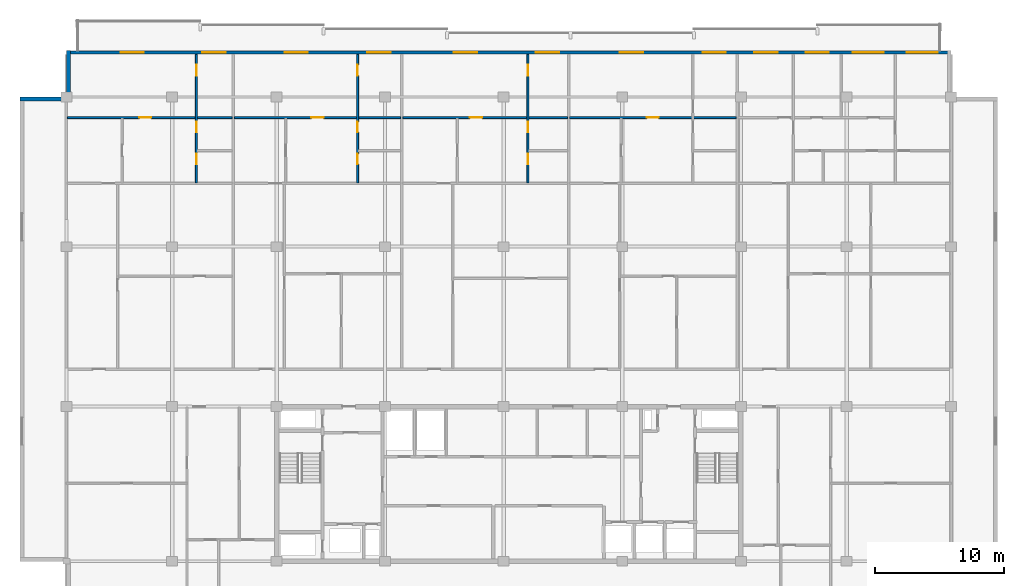
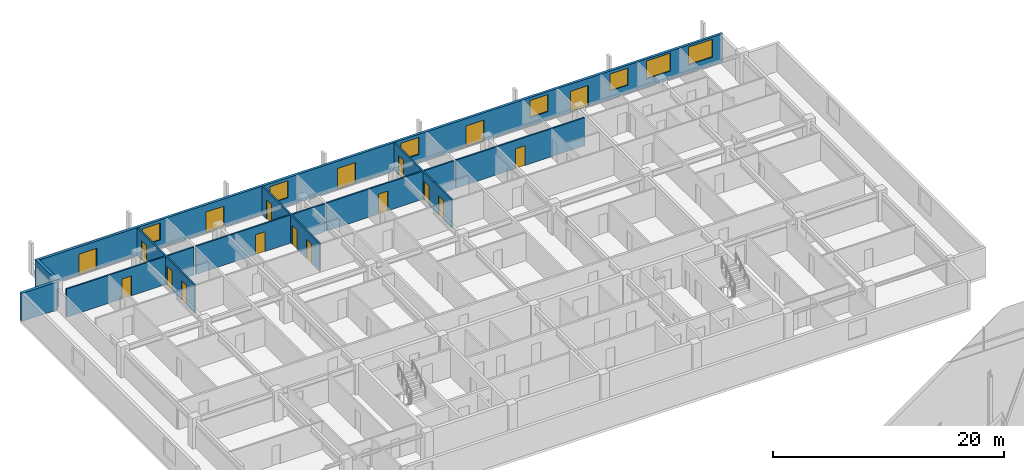
# One storey, part 38 of 42: 18 doors, 10 walls, 7 windows, 25 openings.
"""IFC4 building model written with IfcOpenShell, lengths in metres."""

from ifc_helpers import new_model, si_unit, direction, frame, frame_2d, origin, place, context, subcontext, project, spatial, rectangle, extrude, material, layer, layer_set, type_object, element, fill, save


model = new_model("IFC4")

# Units and contexts
model_context = context("Model", 3, precision=1e-05, world=origin(), true_north=direction((0.0, 1.0)))
body_context = subcontext(model_context, "Body", "Model", "MODEL_VIEW")
ifc_project = project(units=[si_unit("LENGTHUNIT", "METRE"), si_unit("AREAUNIT", "SQUARE_METRE"), si_unit("VOLUMEUNIT", "CUBIC_METRE"), si_unit("PLANEANGLEUNIT", "RADIAN"), si_unit("MASSUNIT", "GRAM", prefix="KILO")], contexts=[model_context])

# Site, building, storey
site_placement = place(None, origin())
site = spatial("IfcSite", under=ifc_project, at=site_placement, CompositionType="ELEMENT")
building_placement = place(site_placement, origin())
building = spatial("IfcBuilding", under=site, at=building_placement, Name="Korimba Cascade Residences", CompositionType="ELEMENT")
storey_placement = place(building_placement, frame((0.0, 0.0, 207.60009765625)))
storey = spatial("IfcBuildingStorey", under=building, at=storey_placement, Name="L60", CompositionType="ELEMENT", Elevation=207.60009765625)

# Wall, openings, doors, windows
ifc_material_1 = material(Name="Precast concrete C40/50", Category="concrete")
ifc_layer_1 = layer(ifc_material_1, 0.25)
ifc_layer_set_1 = layer_set([ifc_layer_1], Name="Precast concrete C40/50")
wall_type_1 = type_object("IfcWallType", Name="EW-LOG-250", PredefinedType="STANDARD", material=ifc_layer_set_1)
wall_1_placement = place(storey_placement, frame((128.39990234375, 94.64990234375, 0.0), z_axis=(0.0, 0.0, 1.0), x_axis=(-1.0, 0.0, 0.0)))
wall_1 = element("IfcWall", 1, at=wall_1_placement, inside=storey, type_object=wall_type_1, Name="L60 T1 Perimeter Stone Wall E06", PredefinedType="STANDARD", context=body_context, shape_type="SweptSolid", body=[
    extrude(rectangle(XDim=68.599853515625, YDim=0.25, at=frame_2d((34.2998046875, 0.0))), origin(), (0.0, 0.0, 1.0), 2.969970703125),
])
opening_1_placement = place(wall_1_placement, frame((62.60009765625, 0.0, 0.0)))
opening_1 = element("IfcOpeningElement", 2, at=opening_1_placement, cuts=wall_1, Name="Opening D-LG1", PredefinedType="OPENING", context=body_context, shape_type="SweptSolid", body=[
    extrude(rectangle(XDim=1.800048828125, YDim=2.199951171875, at=frame_2d((0.89990234375, 1.10009765625))), frame((0.0, 0.135009765625, 0.0), z_axis=(0.0, -1.0, 0.0), x_axis=(1.0, 0.0, 0.0)), (0.0, 0.0, 1.0), 0.27001953125),
])
opening_2_placement = place(wall_1_placement, frame((56.251953125, 0.0, 0.85009765625)))
opening_2 = element("IfcOpeningElement", 3, at=opening_2_placement, cuts=wall_1, Name="Opening W-02", PredefinedType="OPENING", context=body_context, shape_type="SweptSolid", body=[
    extrude(rectangle(XDim=1.800048828125, YDim=1.800048828125, at=frame_2d((0.89990234375, 0.89990234375))), frame((0.0, 0.135009765625, 0.0), z_axis=(0.0, -1.0, 0.0), x_axis=(1.0, 0.0, 0.0)), (0.0, 0.0, 1.0), 0.27001953125),
])
opening_3_placement = place(wall_1_placement, frame((49.882080078125, 0.0, 0.0)))
opening_3 = element("IfcOpeningElement", 4, at=opening_3_placement, cuts=wall_1, Name="Opening D-LG1", PredefinedType="OPENING", context=body_context, shape_type="SweptSolid", body=[
    extrude(rectangle(XDim=1.800048828125, YDim=2.199951171875, at=frame_2d((0.89990234375, 1.10009765625))), frame((0.0, 0.135009765625, 0.0), z_axis=(0.0, -1.0, 0.0), x_axis=(1.0, 0.0, 0.0)), (0.0, 0.0, 1.0), 0.27001953125),
])
opening_4_placement = place(wall_1_placement, frame((43.469970703125, 0.0, 0.85009765625)))
opening_4 = element("IfcOpeningElement", 5, at=opening_4_placement, cuts=wall_1, Name="Opening W-02", PredefinedType="OPENING", context=body_context, shape_type="SweptSolid", body=[
    extrude(rectangle(XDim=1.800048828125, YDim=1.800048828125, at=frame_2d((0.89990234375, 0.89990234375))), frame((0.0, 0.135009765625, 0.0), z_axis=(0.0, -1.0, 0.0), x_axis=(1.0, 0.0, 0.0)), (0.0, 0.0, 1.0), 0.27001953125),
])
opening_5_placement = place(wall_1_placement, frame((36.75, 0.0, 0.0)))
opening_5 = element("IfcOpeningElement", 6, at=opening_5_placement, cuts=wall_1, Name="Opening D-LG1", PredefinedType="OPENING", context=body_context, shape_type="SweptSolid", body=[
    extrude(rectangle(XDim=1.800048828125, YDim=2.199951171875, at=frame_2d((0.89990234375, 1.10009765625))), frame((0.0, 0.135009765625, 0.0), z_axis=(0.0, -1.0, 0.0), x_axis=(1.0, 0.0, 0.0)), (0.0, 0.0, 1.0), 0.27001953125),
])
opening_6_placement = place(wall_1_placement, frame((30.40185546875, 0.0, 0.85009765625)))
opening_6 = element("IfcOpeningElement", 7, at=opening_6_placement, cuts=wall_1, Name="Opening W-02", PredefinedType="OPENING", context=body_context, shape_type="SweptSolid", body=[
    extrude(rectangle(XDim=1.800048828125, YDim=1.800048828125, at=frame_2d((0.89990234375, 0.89990234375))), frame((0.0, 0.135009765625, 0.0), z_axis=(0.0, -1.0, 0.0), x_axis=(1.0, 0.0, 0.0)), (0.0, 0.0, 1.0), 0.27001953125),
])
opening_7_placement = place(wall_1_placement, frame((23.882080078125, 0.0, 0.0)))
opening_7 = element("IfcOpeningElement", 8, at=opening_7_placement, cuts=wall_1, Name="Opening D-LG1", PredefinedType="OPENING", context=body_context, shape_type="SweptSolid", body=[
    extrude(rectangle(XDim=1.800048828125, YDim=2.199951171875, at=frame_2d((0.89990234375, 1.10009765625))), frame((0.0, 0.135009765625, 0.0), z_axis=(0.0, -1.0, 0.0), x_axis=(1.0, 0.0, 0.0)), (0.0, 0.0, 1.0), 0.27001953125),
])
opening_8_placement = place(wall_1_placement, frame((17.469970703125, 0.0, 0.85009765625)))
opening_8 = element("IfcOpeningElement", 9, at=opening_8_placement, cuts=wall_1, Name="Opening W-02", PredefinedType="OPENING", context=body_context, shape_type="SweptSolid", body=[
    extrude(rectangle(XDim=1.800048828125, YDim=1.800048828125, at=frame_2d((0.89990234375, 0.89990234375))), frame((0.0, 0.135009765625, 0.0), z_axis=(0.0, -1.0, 0.0), x_axis=(1.0, 0.0, 0.0)), (0.0, 0.0, 1.0), 0.27001953125),
])
opening_9_placement = place(wall_1_placement, frame((9.47998046875, 0.0, 0.85009765625)))
opening_9 = element("IfcOpeningElement", 10, at=opening_9_placement, cuts=wall_1, Name="Opening W-02", PredefinedType="OPENING", context=body_context, shape_type="SweptSolid", body=[
    extrude(rectangle(XDim=1.800048828125, YDim=1.800048828125, at=frame_2d((0.89990234375, 0.89990234375))), frame((0.0, 0.135009765625, 0.0), z_axis=(0.0, -1.0, 0.0), x_axis=(1.0, 0.0, 0.0)), (0.0, 0.0, 1.0), 0.27001953125),
])
opening_10_placement = place(wall_1_placement, frame((5.22998046875, 0.0, 0.85009765625)))
opening_10 = element("IfcOpeningElement", 11, at=opening_10_placement, cuts=wall_1, Name="Opening W-01", PredefinedType="OPENING", context=body_context, shape_type="SweptSolid", body=[
    extrude(rectangle(XDim=2.39990234375, YDim=1.89990234375, at=frame_2d((1.199951171875, 0.949951171875))), frame((0.0, 0.135009765625, 0.0), z_axis=(0.0, -1.0, 0.0), x_axis=(1.0, 0.0, 0.0)), (0.0, 0.0, 1.0), 0.27001953125),
])
opening_11_placement = place(wall_1_placement, frame((13.455078125, 0.0, 0.0)))
opening_11 = element("IfcOpeningElement", 12, at=opening_11_placement, cuts=wall_1, Name="Opening D-LG1", PredefinedType="OPENING", context=body_context, shape_type="SweptSolid", body=[
    extrude(rectangle(XDim=1.800048828125, YDim=2.199951171875, at=frame_2d((0.89990234375, 1.10009765625))), frame((0.0, 0.135009765625, 0.0), z_axis=(0.0, -1.0, 0.0), x_axis=(1.0, 0.0, 0.0)), (0.0, 0.0, 1.0), 0.27001953125),
])
opening_12_placement = place(wall_1_placement, frame((1.02490234375, 0.0, 0.85009765625)))
opening_12 = element("IfcOpeningElement", 13, at=opening_12_placement, cuts=wall_1, Name="Opening W-01", PredefinedType="OPENING", context=body_context, shape_type="SweptSolid", body=[
    extrude(rectangle(XDim=2.39990234375, YDim=1.89990234375, at=frame_2d((1.199951171875, 0.949951171875))), frame((0.0, 0.135009765625, 0.0), z_axis=(0.0, -1.0, 0.0), x_axis=(1.0, 0.0, 0.0)), (0.0, 0.0, 1.0), 0.27001953125),
])
ifc_material_2 = material(Name="Glazed Aluminium Loggia Sliding Door", Category="aluminium")
door_type_1 = type_object("IfcDoorType", Name="DR-EXT-LOG", OperationType="NOTDEFINED", PredefinedType="DOOR", material=ifc_material_2)
door_1_placement = place(opening_1_placement, origin())
door_1 = element("IfcDoor", 14, at=door_1_placement, inside=storey, type_object=door_type_1, Name="L60 T1 Loggia Sliding Door 3", OperationType="SLIDING_TO_LEFT", OverallHeight=2.199951171875, OverallWidth=1.800048828125, PredefinedType="DOOR", context=body_context, shape_type="SweptSolid", body=[
    extrude(rectangle(XDim=1.800048828125, YDim=2.199951171875, at=frame_2d((0.89990234375, 1.10009765625))), frame((0.0, 0.02490234375, 0.0), z_axis=(0.0, -1.0, 0.0), x_axis=(1.0, 0.0, 0.0)), (0.0, 0.0, 1.0), 0.050048828125),
])
fill(opening_1, door_1)
door_2_placement = place(opening_3_placement, origin())
door_2 = element("IfcDoor", 15, at=door_2_placement, inside=storey, type_object=door_type_1, Name="L60 T1 Loggia Sliding Door 5", OperationType="SLIDING_TO_LEFT", OverallHeight=2.199951171875, OverallWidth=1.800048828125, PredefinedType="DOOR", context=body_context, shape_type="SweptSolid", body=[
    extrude(rectangle(XDim=1.800048828125, YDim=2.199951171875, at=frame_2d((0.89990234375, 1.10009765625))), frame((0.0, 0.02490234375, 0.0), z_axis=(0.0, -1.0, 0.0), x_axis=(1.0, 0.0, 0.0)), (0.0, 0.0, 1.0), 0.050048828125),
])
fill(opening_3, door_2)
door_3_placement = place(opening_5_placement, origin())
door_3 = element("IfcDoor", 16, at=door_3_placement, inside=storey, type_object=door_type_1, Name="L60 T1 Loggia Sliding Door 7", OperationType="SLIDING_TO_LEFT", OverallHeight=2.199951171875, OverallWidth=1.800048828125, PredefinedType="DOOR", context=body_context, shape_type="SweptSolid", body=[
    extrude(rectangle(XDim=1.800048828125, YDim=2.199951171875, at=frame_2d((0.89990234375, 1.10009765625))), frame((0.0, 0.02490234375, 0.0), z_axis=(0.0, -1.0, 0.0), x_axis=(1.0, 0.0, 0.0)), (0.0, 0.0, 1.0), 0.050048828125),
])
fill(opening_5, door_3)
door_4_placement = place(opening_7_placement, origin())
door_4 = element("IfcDoor", 17, at=door_4_placement, inside=storey, type_object=door_type_1, Name="L60 T1 Loggia Sliding Door 9", OperationType="SLIDING_TO_LEFT", OverallHeight=2.199951171875, OverallWidth=1.800048828125, PredefinedType="DOOR", context=body_context, shape_type="SweptSolid", body=[
    extrude(rectangle(XDim=1.800048828125, YDim=2.199951171875, at=frame_2d((0.89990234375, 1.10009765625))), frame((0.0, 0.02490234375, 0.0), z_axis=(0.0, -1.0, 0.0), x_axis=(1.0, 0.0, 0.0)), (0.0, 0.0, 1.0), 0.050048828125),
])
fill(opening_7, door_4)
door_5_placement = place(opening_11_placement, origin())
door_5 = element("IfcDoor", 18, at=door_5_placement, inside=storey, type_object=door_type_1, Name="L60 T1 Loggia Sliding Door 13", OperationType="SLIDING_TO_LEFT", OverallHeight=2.199951171875, OverallWidth=1.800048828125, PredefinedType="DOOR", context=body_context, shape_type="SweptSolid", body=[
    extrude(rectangle(XDim=1.800048828125, YDim=2.199951171875, at=frame_2d((0.89990234375, 1.10009765625))), frame((0.0, 0.02490234375, 0.0), z_axis=(0.0, -1.0, 0.0), x_axis=(1.0, 0.0, 0.0)), (0.0, 0.0, 1.0), 0.050048828125),
])
fill(opening_11, door_5)
ifc_material_3 = material(Name="Double-Glazed Aluminium Window", Category="aluminium")
window_type_1 = type_object("IfcWindowType", Name="WIN-BED-1800", PartitioningType="SINGLE_PANEL", PredefinedType="WINDOW", material=ifc_material_3)
window_1_placement = place(opening_2_placement, origin())
window_1 = element("IfcWindow", 19, at=window_1_placement, inside=storey, type_object=window_type_1, Name="L60 T1 North Facade Window 4", OverallHeight=1.800048828125, OverallWidth=1.800048828125, PartitioningType="SINGLE_PANEL", PredefinedType="WINDOW", context=body_context, shape_type="SweptSolid", body=[
    extrude(rectangle(XDim=1.800048828125, YDim=1.800048828125, at=frame_2d((0.89990234375, 0.89990234375))), frame((0.0, 0.030029296875, 0.0), z_axis=(0.0, -1.0, 0.0), x_axis=(1.0, 0.0, 0.0)), (0.0, 0.0, 1.0), 0.06005859375),
])
fill(opening_2, window_1)
window_2_placement = place(opening_4_placement, origin())
window_2 = element("IfcWindow", 20, at=window_2_placement, inside=storey, type_object=window_type_1, Name="L60 T1 North Facade Window 6", OverallHeight=1.800048828125, OverallWidth=1.800048828125, PartitioningType="SINGLE_PANEL", PredefinedType="WINDOW", context=body_context, shape_type="SweptSolid", body=[
    extrude(rectangle(XDim=1.800048828125, YDim=1.800048828125, at=frame_2d((0.89990234375, 0.89990234375))), frame((0.0, 0.030029296875, 0.0), z_axis=(0.0, -1.0, 0.0), x_axis=(1.0, 0.0, 0.0)), (0.0, 0.0, 1.0), 0.06005859375),
])
fill(opening_4, window_2)
window_3_placement = place(opening_6_placement, origin())
window_3 = element("IfcWindow", 21, at=window_3_placement, inside=storey, type_object=window_type_1, Name="L60 T1 North Facade Window 8", OverallHeight=1.800048828125, OverallWidth=1.800048828125, PartitioningType="SINGLE_PANEL", PredefinedType="WINDOW", context=body_context, shape_type="SweptSolid", body=[
    extrude(rectangle(XDim=1.800048828125, YDim=1.800048828125, at=frame_2d((0.89990234375, 0.89990234375))), frame((0.0, 0.030029296875, 0.0), z_axis=(0.0, -1.0, 0.0), x_axis=(1.0, 0.0, 0.0)), (0.0, 0.0, 1.0), 0.06005859375),
])
fill(opening_6, window_3)
window_4_placement = place(opening_8_placement, origin())
window_4 = element("IfcWindow", 22, at=window_4_placement, inside=storey, type_object=window_type_1, Name="L60 T1 North Facade Window 10", OverallHeight=1.800048828125, OverallWidth=1.800048828125, PartitioningType="SINGLE_PANEL", PredefinedType="WINDOW", context=body_context, shape_type="SweptSolid", body=[
    extrude(rectangle(XDim=1.800048828125, YDim=1.800048828125, at=frame_2d((0.89990234375, 0.89990234375))), frame((0.0, 0.030029296875, 0.0), z_axis=(0.0, -1.0, 0.0), x_axis=(1.0, 0.0, 0.0)), (0.0, 0.0, 1.0), 0.06005859375),
])
fill(opening_8, window_4)
window_5_placement = place(opening_9_placement, origin())
window_5 = element("IfcWindow", 23, at=window_5_placement, inside=storey, type_object=window_type_1, Name="L60 T1 North Facade Window 11", OverallHeight=1.800048828125, OverallWidth=1.800048828125, PartitioningType="SINGLE_PANEL", PredefinedType="WINDOW", context=body_context, shape_type="SweptSolid", body=[
    extrude(rectangle(XDim=1.800048828125, YDim=1.800048828125, at=frame_2d((0.89990234375, 0.89990234375))), frame((0.0, 0.030029296875, 0.0), z_axis=(0.0, -1.0, 0.0), x_axis=(1.0, 0.0, 0.0)), (0.0, 0.0, 1.0), 0.06005859375),
])
fill(opening_9, window_5)
window_type_2 = type_object("IfcWindowType", Name="WIN-RES-2400", PartitioningType="DOUBLE_PANEL_VERTICAL", PredefinedType="WINDOW", material=ifc_material_3)
window_6_placement = place(opening_10_placement, origin())
window_6 = element("IfcWindow", 24, at=window_6_placement, inside=storey, type_object=window_type_2, Name="L60 T1 North Facade Window 12", OverallHeight=1.89990234375, OverallWidth=2.39990234375, PartitioningType="DOUBLE_PANEL_VERTICAL", PredefinedType="WINDOW", context=body_context, shape_type="SweptSolid", body=[
    extrude(rectangle(XDim=2.39990234375, YDim=1.89990234375, at=frame_2d((1.199951171875, 0.949951171875))), frame((0.0, 0.030029296875, 0.0), z_axis=(0.0, -1.0, 0.0), x_axis=(1.0, 0.0, 0.0)), (0.0, 0.0, 1.0), 0.06005859375),
])
fill(opening_10, window_6)
window_7_placement = place(opening_12_placement, origin())
window_7 = element("IfcWindow", 25, at=window_7_placement, inside=storey, type_object=window_type_2, Name="L60 T1 North Facade Window 14", OverallHeight=1.89990234375, OverallWidth=2.39990234375, PartitioningType="DOUBLE_PANEL_VERTICAL", PredefinedType="WINDOW", context=body_context, shape_type="SweptSolid", body=[
    extrude(rectangle(XDim=2.39990234375, YDim=1.89990234375, at=frame_2d((1.199951171875, 0.949951171875))), frame((0.0, 0.030029296875, 0.0), z_axis=(0.0, -1.0, 0.0), x_axis=(1.0, 0.0, 0.0)), (0.0, 0.0, 1.0), 0.06005859375),
])
fill(opening_12, window_7)

# Walls
ifc_layer_2 = layer(ifc_material_1, 0.300048828125)
ifc_layer_set_2 = layer_set([ifc_layer_2], Name="Precast concrete C40/50")
wall_type_2 = type_object("IfcWallType", Name="EW-STONE-300", PredefinedType="STANDARD", material=ifc_layer_set_2)
for number, where, z_axis, x_axis, name in (
    (26, (59.949951171875, 94.800048828125, 0.0), (0.0, 0.0, 1.0), (0.0, -1.0, 0.0), "L60 T1 Perimeter Stone Wall E07"),
    (27, (59.800048828125, 91.050048828125, 0.0), (0.0, 0.0, 1.0), (-1.0, 0.0, 0.0), "L60 T1 Perimeter Stone Wall E08"),
):
    element("IfcWall", number, at=place(storey_placement, frame(where, z_axis=z_axis, x_axis=x_axis)), inside=storey, type_object=wall_type_2, Name=name, PredefinedType="STANDARD", context=body_context, shape_type="SweptSolid", body=[
        extrude(rectangle(XDim=3.60009765625, YDim=0.300048828125, at=frame_2d((1.800048828125, 0.0))), origin(), (0.0, 0.0, 1.0), 2.969970703125),
    ])

# Wall, openings, doors
ifc_material_4 = material(Name="Insulated Acoustic Stud Partition", Category="gypsum")
ifc_layer_3 = layer(ifc_material_4, 0.14990234375)
ifc_layer_set_3 = layer_set([ifc_layer_3], Name="Insulated Acoustic Stud Partition")
wall_type_3 = type_object("IfcWallType", Name="WAL-PART-150", PredefinedType="PARTITIONING", material=ifc_layer_set_3)
wall_2_placement = place(storey_placement, frame((69.8798828125, 84.5400390625, 0.0), z_axis=(0.0, 0.0, 1.0), x_axis=(0.0, 1.0, 0.0)))
wall_2 = element("IfcWall", 28, at=wall_2_placement, inside=storey, type_object=wall_type_3, Name="L60 Partition Wall WAL-L60-T1-U01-V1", PredefinedType="PARTITIONING", context=body_context, shape_type="SweptSolid", body=[
    extrude(rectangle(XDim=9.9599609375, YDim=0.14990234375, at=frame_2d((4.97998046875, 0.0))), origin(), (0.0, 0.0, 1.0), 2.969970703125),
])
opening_13_placement = place(wall_2_placement, frame((1.430419921875, 0.0, 0.0)))
opening_13 = element("IfcOpeningElement", 29, at=opening_13_placement, cuts=wall_2, Name="Opening D-BT1", PredefinedType="OPENING", context=body_context, shape_type="SweptSolid", body=[
    extrude(rectangle(XDim=0.840087890625, YDim=2.0400390625, at=frame_2d((0.419921875, 1.02001953125))), frame((0.0, 0.0849609375, 0.0), z_axis=(0.0, -1.0, 0.0), x_axis=(1.0, 0.0, 0.0)), (0.0, 0.0, 1.0), 0.169921875),
])
opening_14_placement = place(wall_2_placement, frame((3.919921875, 0.0, 0.0)))
opening_14 = element("IfcOpeningElement", 30, at=opening_14_placement, cuts=wall_2, Name="Opening D-BT1", PredefinedType="OPENING", context=body_context, shape_type="SweptSolid", body=[
    extrude(rectangle(XDim=0.840087890625, YDim=2.0400390625, at=frame_2d((0.419921875, 1.02001953125))), frame((0.0, 0.0849609375, 0.0), z_axis=(0.0, -1.0, 0.0), x_axis=(1.0, 0.0, 0.0)), (0.0, 0.0, 1.0), 0.169921875),
])
opening_15_placement = place(wall_2_placement, frame((8.297119140625, 0.0, 0.0)))
opening_15 = element("IfcOpeningElement", 31, at=opening_15_placement, cuts=wall_2, Name="Opening D-IN2", PredefinedType="OPENING", context=body_context, shape_type="SweptSolid", body=[
    extrude(rectangle(XDim=0.8798828125, YDim=2.06005859375, at=frame_2d((0.43994140625, 1.030029296875))), frame((0.0, 0.0849609375, 0.0), z_axis=(0.0, -1.0, 0.0), x_axis=(1.0, 0.0, 0.0)), (0.0, 0.0, 1.0), 0.169921875),
])
ifc_material_5 = material(Name="Moisture-Resistant Bathroom Timber Door", Category="wood")
door_type_2 = type_object("IfcDoorType", Name="DR-INT-850", OperationType="NOTDEFINED", PredefinedType="DOOR", material=ifc_material_5)
door_6_placement = place(opening_13_placement, origin())
door_6 = element("IfcDoor", 32, at=door_6_placement, inside=storey, type_object=door_type_2, Name="L60-T1-U01 Bathroom Door", OperationType="SINGLE_SWING_RIGHT", OverallHeight=2.0400390625, OverallWidth=0.840087890625, PredefinedType="DOOR", context=body_context, shape_type="SweptSolid", body=[
    extrude(rectangle(XDim=0.840087890625, YDim=2.0400390625, at=frame_2d((0.419921875, 1.02001953125))), frame((0.0, 0.02490234375, 0.0), z_axis=(0.0, -1.0, 0.0), x_axis=(1.0, 0.0, 0.0)), (0.0, 0.0, 1.0), 0.050048828125),
])
fill(opening_13, door_6)
door_7_placement = place(opening_14_placement, origin())
door_7 = element("IfcDoor", 33, at=door_7_placement, inside=storey, type_object=door_type_2, Name="L60-T1-U01 Laundry Door", OperationType="SINGLE_SWING_LEFT", OverallHeight=2.0400390625, OverallWidth=0.840087890625, PredefinedType="DOOR", context=body_context, shape_type="SweptSolid", body=[
    extrude(rectangle(XDim=0.840087890625, YDim=2.0400390625, at=frame_2d((0.419921875, 1.02001953125))), frame((0.0, 0.02490234375, 0.0), z_axis=(0.0, -1.0, 0.0), x_axis=(1.0, 0.0, 0.0)), (0.0, 0.0, 1.0), 0.050048828125),
])
fill(opening_14, door_7)
ifc_material_6 = material(Name="Acoustic Timber Bedroom Door", Category="wood")
door_type_3 = type_object("IfcDoorType", Name="DR-INT-880", OperationType="NOTDEFINED", PredefinedType="DOOR", material=ifc_material_6)
door_8_placement = place(opening_15_placement, origin())
door_8 = element("IfcDoor", 34, at=door_8_placement, inside=storey, type_object=door_type_3, Name="L60-T1-U01 Bedroom 1 Door", OperationType="SINGLE_SWING_RIGHT", OverallHeight=2.06005859375, OverallWidth=0.8798828125, PredefinedType="DOOR", context=body_context, shape_type="SweptSolid", body=[
    extrude(rectangle(XDim=0.8798828125, YDim=2.06005859375, at=frame_2d((0.43994140625, 1.030029296875))), frame((0.0, 0.02490234375, 0.0), z_axis=(0.0, -1.0, 0.0), x_axis=(1.0, 0.0, 0.0)), (0.0, 0.0, 1.0), 0.050048828125),
])
fill(opening_15, door_8)

# Wall, opening, door
wall_3_placement = place(storey_placement, frame((59.8798828125, 89.60009765625, 0.0), z_axis=(0.0, 0.0, 1.0), x_axis=(1.0, 0.0, 0.0)))
wall_3 = element("IfcWall", 35, at=wall_3_placement, inside=storey, type_object=wall_type_3, Name="L60 Partition Wall WAL-L60-T1-U01-HZ", PredefinedType="PARTITIONING", context=body_context, shape_type="SweptSolid", body=[
    extrude(rectangle(XDim=12.776123046875, YDim=0.14990234375, at=frame_2d((6.38818359375, 0.0))), origin(), (0.0, 0.0, 1.0), 2.969970703125),
])
opening_16_placement = place(wall_3_placement, frame((5.55712890625, 0.0, 0.0)))
opening_16 = element("IfcOpeningElement", 36, at=opening_16_placement, cuts=wall_3, Name="Opening D-IN0", PredefinedType="OPENING", context=body_context, shape_type="SweptSolid", body=[
    extrude(rectangle(XDim=0.93994140625, YDim=2.10009765625, at=frame_2d((0.469970703125, 1.050048828125))), frame((0.0, 0.0849609375, 0.0), z_axis=(0.0, -1.0, 0.0), x_axis=(1.0, 0.0, 0.0)), (0.0, 0.0, 1.0), 0.169921875),
])
ifc_material_7 = material(Name="Acoustic Timber Living Archway Door", Category="wood")
door_type_4 = type_object("IfcDoorType", Name="DR-INT-950", OperationType="NOTDEFINED", PredefinedType="DOOR", material=ifc_material_7)
door_9_placement = place(opening_16_placement, origin())
door_9 = element("IfcDoor", 37, at=door_9_placement, inside=storey, type_object=door_type_4, Name="L60-T1-U01 Living Archway Door", OperationType="SINGLE_SWING_RIGHT", OverallHeight=2.10009765625, OverallWidth=0.93994140625, PredefinedType="DOOR", context=body_context, shape_type="SweptSolid", body=[
    extrude(rectangle(XDim=0.93994140625, YDim=2.10009765625, at=frame_2d((0.469970703125, 1.050048828125))), frame((0.0, 0.02490234375, 0.0), z_axis=(0.0, -1.0, 0.0), x_axis=(1.0, 0.0, 0.0)), (0.0, 0.0, 1.0), 0.050048828125),
])
fill(opening_16, door_9)

# Wall, openings, doors
wall_4_placement = place(storey_placement, frame((82.3798828125, 84.5400390625, 0.0), z_axis=(0.0, 0.0, 1.0), x_axis=(0.0, 1.0, 0.0)))
wall_4 = element("IfcWall", 38, at=wall_4_placement, inside=storey, type_object=wall_type_3, Name="L60 Partition Wall WAL-L60-T1-U02-V1", PredefinedType="PARTITIONING", context=body_context, shape_type="SweptSolid", body=[
    extrude(rectangle(XDim=9.9599609375, YDim=0.14990234375, at=frame_2d((4.97998046875, 0.0))), origin(), (0.0, 0.0, 1.0), 2.969970703125),
])
opening_17_placement = place(wall_4_placement, frame((1.430419921875, 0.0, 0.0)))
opening_17 = element("IfcOpeningElement", 39, at=opening_17_placement, cuts=wall_4, Name="Opening D-BT1", PredefinedType="OPENING", context=body_context, shape_type="SweptSolid", body=[
    extrude(rectangle(XDim=0.840087890625, YDim=2.0400390625, at=frame_2d((0.419921875, 1.02001953125))), frame((0.0, 0.0849609375, 0.0), z_axis=(0.0, -1.0, 0.0), x_axis=(1.0, 0.0, 0.0)), (0.0, 0.0, 1.0), 0.169921875),
])
opening_18_placement = place(wall_4_placement, frame((3.919921875, 0.0, 0.0)))
opening_18 = element("IfcOpeningElement", 40, at=opening_18_placement, cuts=wall_4, Name="Opening D-BT1", PredefinedType="OPENING", context=body_context, shape_type="SweptSolid", body=[
    extrude(rectangle(XDim=0.840087890625, YDim=2.0400390625, at=frame_2d((0.419921875, 1.02001953125))), frame((0.0, 0.0849609375, 0.0), z_axis=(0.0, -1.0, 0.0), x_axis=(1.0, 0.0, 0.0)), (0.0, 0.0, 1.0), 0.169921875),
])
opening_19_placement = place(wall_4_placement, frame((8.297119140625, 0.0, 0.0)))
opening_19 = element("IfcOpeningElement", 41, at=opening_19_placement, cuts=wall_4, Name="Opening D-IN2", PredefinedType="OPENING", context=body_context, shape_type="SweptSolid", body=[
    extrude(rectangle(XDim=0.8798828125, YDim=2.06005859375, at=frame_2d((0.43994140625, 1.030029296875))), frame((0.0, 0.0849609375, 0.0), z_axis=(0.0, -1.0, 0.0), x_axis=(1.0, 0.0, 0.0)), (0.0, 0.0, 1.0), 0.169921875),
])
door_10_placement = place(opening_17_placement, origin())
door_10 = element("IfcDoor", 42, at=door_10_placement, inside=storey, type_object=door_type_2, Name="L60-T1-U02 Bathroom Door", OperationType="SINGLE_SWING_LEFT", OverallHeight=2.0400390625, OverallWidth=0.840087890625, PredefinedType="DOOR", context=body_context, shape_type="SweptSolid", body=[
    extrude(rectangle(XDim=0.840087890625, YDim=2.0400390625, at=frame_2d((0.419921875, 1.02001953125))), frame((0.0, 0.02490234375, 0.0), z_axis=(0.0, -1.0, 0.0), x_axis=(1.0, 0.0, 0.0)), (0.0, 0.0, 1.0), 0.050048828125),
])
fill(opening_17, door_10)
door_11_placement = place(opening_18_placement, origin())
door_11 = element("IfcDoor", 43, at=door_11_placement, inside=storey, type_object=door_type_2, Name="L60-T1-U02 Laundry Door", OperationType="SINGLE_SWING_RIGHT", OverallHeight=2.0400390625, OverallWidth=0.840087890625, PredefinedType="DOOR", context=body_context, shape_type="SweptSolid", body=[
    extrude(rectangle(XDim=0.840087890625, YDim=2.0400390625, at=frame_2d((0.419921875, 1.02001953125))), frame((0.0, 0.02490234375, 0.0), z_axis=(0.0, -1.0, 0.0), x_axis=(1.0, 0.0, 0.0)), (0.0, 0.0, 1.0), 0.050048828125),
])
fill(opening_18, door_11)
door_12_placement = place(opening_19_placement, origin())
door_12 = element("IfcDoor", 44, at=door_12_placement, inside=storey, type_object=door_type_3, Name="L60-T1-U02 Bedroom 1 Door", OperationType="SINGLE_SWING_LEFT", OverallHeight=2.06005859375, OverallWidth=0.8798828125, PredefinedType="DOOR", context=body_context, shape_type="SweptSolid", body=[
    extrude(rectangle(XDim=0.8798828125, YDim=2.06005859375, at=frame_2d((0.43994140625, 1.030029296875))), frame((0.0, 0.02490234375, 0.0), z_axis=(0.0, -1.0, 0.0), x_axis=(1.0, 0.0, 0.0)), (0.0, 0.0, 1.0), 0.050048828125),
])
fill(opening_19, door_12)

# Wall, opening, door
wall_5_placement = place(storey_placement, frame((72.816162109375, 89.60009765625, 0.0), z_axis=(0.0, 0.0, 1.0), x_axis=(1.0, 0.0, 0.0)))
wall_5 = element("IfcWall", 45, at=wall_5_placement, inside=storey, type_object=wall_type_3, Name="L60 Partition Wall WAL-L60-T1-U02-HZ", PredefinedType="PARTITIONING", context=body_context, shape_type="SweptSolid", body=[
    extrude(rectangle(XDim=12.90380859375, YDim=0.14990234375, at=frame_2d((6.451904296875, 0.0))), origin(), (0.0, 0.0, 1.0), 2.969970703125),
])
opening_20_placement = place(wall_5_placement, frame((5.98193359375, 0.0, 0.0)))
opening_20 = element("IfcOpeningElement", 46, at=opening_20_placement, cuts=wall_5, Name="Opening D-IN0", PredefinedType="OPENING", context=body_context, shape_type="SweptSolid", body=[
    extrude(rectangle(XDim=0.93994140625, YDim=2.10009765625, at=frame_2d((0.469970703125, 1.050048828125))), frame((0.0, 0.0849609375, 0.0), z_axis=(0.0, -1.0, 0.0), x_axis=(1.0, 0.0, 0.0)), (0.0, 0.0, 1.0), 0.169921875),
])
door_13_placement = place(opening_20_placement, origin())
door_13 = element("IfcDoor", 47, at=door_13_placement, inside=storey, type_object=door_type_4, Name="L60-T1-U02 Living Archway Door", OperationType="SINGLE_SWING_LEFT", OverallHeight=2.10009765625, OverallWidth=0.93994140625, PredefinedType="DOOR", context=body_context, shape_type="SweptSolid", body=[
    extrude(rectangle(XDim=0.93994140625, YDim=2.10009765625, at=frame_2d((0.469970703125, 1.050048828125))), frame((0.0, 0.02490234375, 0.0), z_axis=(0.0, -1.0, 0.0), x_axis=(1.0, 0.0, 0.0)), (0.0, 0.0, 1.0), 0.050048828125),
])
fill(opening_20, door_13)

# Wall, openings, doors
wall_6_placement = place(storey_placement, frame((95.580078125, 84.5400390625, 0.0), z_axis=(0.0, 0.0, 1.0), x_axis=(0.0, 1.0, 0.0)))
wall_6 = element("IfcWall", 48, at=wall_6_placement, inside=storey, type_object=wall_type_3, Name="L60 Partition Wall WAL-L60-T1-U03-V1", PredefinedType="PARTITIONING", context=body_context, shape_type="SweptSolid", body=[
    extrude(rectangle(XDim=9.9599609375, YDim=0.14990234375, at=frame_2d((4.97998046875, 0.0))), origin(), (0.0, 0.0, 1.0), 2.969970703125),
])
opening_21_placement = place(wall_6_placement, frame((1.430419921875, 0.0, 0.0)))
opening_21 = element("IfcOpeningElement", 49, at=opening_21_placement, cuts=wall_6, Name="Opening D-BT1", PredefinedType="OPENING", context=body_context, shape_type="SweptSolid", body=[
    extrude(rectangle(XDim=0.840087890625, YDim=2.0400390625, at=frame_2d((0.419921875, 1.02001953125))), frame((0.0, 0.0849609375, 0.0), z_axis=(0.0, -1.0, 0.0), x_axis=(1.0, 0.0, 0.0)), (0.0, 0.0, 1.0), 0.169921875),
])
opening_22_placement = place(wall_6_placement, frame((3.919921875, 0.0, 0.0)))
opening_22 = element("IfcOpeningElement", 50, at=opening_22_placement, cuts=wall_6, Name="Opening D-BT1", PredefinedType="OPENING", context=body_context, shape_type="SweptSolid", body=[
    extrude(rectangle(XDim=0.840087890625, YDim=2.0400390625, at=frame_2d((0.419921875, 1.02001953125))), frame((0.0, 0.0849609375, 0.0), z_axis=(0.0, -1.0, 0.0), x_axis=(1.0, 0.0, 0.0)), (0.0, 0.0, 1.0), 0.169921875),
])
opening_23_placement = place(wall_6_placement, frame((8.297119140625, 0.0, 0.0)))
opening_23 = element("IfcOpeningElement", 51, at=opening_23_placement, cuts=wall_6, Name="Opening D-IN2", PredefinedType="OPENING", context=body_context, shape_type="SweptSolid", body=[
    extrude(rectangle(XDim=0.8798828125, YDim=2.06005859375, at=frame_2d((0.43994140625, 1.030029296875))), frame((0.0, 0.0849609375, 0.0), z_axis=(0.0, -1.0, 0.0), x_axis=(1.0, 0.0, 0.0)), (0.0, 0.0, 1.0), 0.169921875),
])
door_14_placement = place(opening_21_placement, origin())
door_14 = element("IfcDoor", 52, at=door_14_placement, inside=storey, type_object=door_type_2, Name="L60-T1-U03 Bathroom Door", OperationType="SINGLE_SWING_LEFT", OverallHeight=2.0400390625, OverallWidth=0.840087890625, PredefinedType="DOOR", context=body_context, shape_type="SweptSolid", body=[
    extrude(rectangle(XDim=0.840087890625, YDim=2.0400390625, at=frame_2d((0.419921875, 1.02001953125))), frame((0.0, 0.02490234375, 0.0), z_axis=(0.0, -1.0, 0.0), x_axis=(1.0, 0.0, 0.0)), (0.0, 0.0, 1.0), 0.050048828125),
])
fill(opening_21, door_14)
door_15_placement = place(opening_22_placement, origin())
door_15 = element("IfcDoor", 53, at=door_15_placement, inside=storey, type_object=door_type_2, Name="L60-T1-U03 Laundry Door", OperationType="SINGLE_SWING_RIGHT", OverallHeight=2.0400390625, OverallWidth=0.840087890625, PredefinedType="DOOR", context=body_context, shape_type="SweptSolid", body=[
    extrude(rectangle(XDim=0.840087890625, YDim=2.0400390625, at=frame_2d((0.419921875, 1.02001953125))), frame((0.0, 0.02490234375, 0.0), z_axis=(0.0, -1.0, 0.0), x_axis=(1.0, 0.0, 0.0)), (0.0, 0.0, 1.0), 0.050048828125),
])
fill(opening_22, door_15)
door_16_placement = place(opening_23_placement, origin())
door_16 = element("IfcDoor", 54, at=door_16_placement, inside=storey, type_object=door_type_3, Name="L60-T1-U03 Bedroom 1 Door", OperationType="SINGLE_SWING_LEFT", OverallHeight=2.06005859375, OverallWidth=0.8798828125, PredefinedType="DOOR", context=body_context, shape_type="SweptSolid", body=[
    extrude(rectangle(XDim=0.8798828125, YDim=2.06005859375, at=frame_2d((0.43994140625, 1.030029296875))), frame((0.0, 0.02490234375, 0.0), z_axis=(0.0, -1.0, 0.0), x_axis=(1.0, 0.0, 0.0)), (0.0, 0.0, 1.0), 0.050048828125),
])
fill(opening_23, door_16)

# Wall, opening, door
wall_7_placement = place(storey_placement, frame((85.8798828125, 89.60009765625, 0.0), z_axis=(0.0, 0.0, 1.0), x_axis=(1.0, 0.0, 0.0)))
wall_7 = element("IfcWall", 55, at=wall_7_placement, inside=storey, type_object=wall_type_3, Name="L60 Partition Wall WAL-L60-T1-U03-HZ", PredefinedType="PARTITIONING", context=body_context, shape_type="SweptSolid", body=[
    extrude(rectangle(XDim=12.776123046875, YDim=0.14990234375, at=frame_2d((6.38818359375, 0.0))), origin(), (0.0, 0.0, 1.0), 2.969970703125),
])
opening_24_placement = place(wall_7_placement, frame((5.2060546875, 0.0, 0.0)))
opening_24 = element("IfcOpeningElement", 56, at=opening_24_placement, cuts=wall_7, Name="Opening D-IN0", PredefinedType="OPENING", context=body_context, shape_type="SweptSolid", body=[
    extrude(rectangle(XDim=0.93994140625, YDim=2.10009765625, at=frame_2d((0.469970703125, 1.050048828125))), frame((0.0, 0.0849609375, 0.0), z_axis=(0.0, -1.0, 0.0), x_axis=(1.0, 0.0, 0.0)), (0.0, 0.0, 1.0), 0.169921875),
])
door_17_placement = place(opening_24_placement, origin())
door_17 = element("IfcDoor", 57, at=door_17_placement, inside=storey, type_object=door_type_4, Name="L60-T1-U03 Living Archway Door", OperationType="SINGLE_SWING_LEFT", OverallHeight=2.10009765625, OverallWidth=0.93994140625, PredefinedType="DOOR", context=body_context, shape_type="SweptSolid", body=[
    extrude(rectangle(XDim=0.93994140625, YDim=2.10009765625, at=frame_2d((0.469970703125, 1.050048828125))), frame((0.0, 0.02490234375, 0.0), z_axis=(0.0, -1.0, 0.0), x_axis=(1.0, 0.0, 0.0)), (0.0, 0.0, 1.0), 0.050048828125),
])
fill(opening_24, door_17)

wall_8_placement = place(storey_placement, frame((98.816162109375, 89.60009765625, 0.0), z_axis=(0.0, 0.0, 1.0), x_axis=(1.0, 0.0, 0.0)))
wall_8 = element("IfcWall", 58, at=wall_8_placement, inside=storey, type_object=wall_type_3, Name="L60 Partition Wall WAL-L60-T1-U04-HZ", PredefinedType="PARTITIONING", context=body_context, shape_type="SweptSolid", body=[
    extrude(rectangle(XDim=12.90380859375, YDim=0.14990234375, at=frame_2d((6.451904296875, 0.0))), origin(), (0.0, 0.0, 1.0), 2.969970703125),
])
opening_25_placement = place(wall_8_placement, frame((5.98193359375, 0.0, 0.0)))
opening_25 = element("IfcOpeningElement", 59, at=opening_25_placement, cuts=wall_8, Name="Opening D-IN0", PredefinedType="OPENING", context=body_context, shape_type="SweptSolid", body=[
    extrude(rectangle(XDim=0.93994140625, YDim=2.10009765625, at=frame_2d((0.469970703125, 1.050048828125))), frame((0.0, 0.0849609375, 0.0), z_axis=(0.0, -1.0, 0.0), x_axis=(1.0, 0.0, 0.0)), (0.0, 0.0, 1.0), 0.169921875),
])
door_18_placement = place(opening_25_placement, origin())
door_18 = element("IfcDoor", 60, at=door_18_placement, inside=storey, type_object=door_type_4, Name="L60-T1-U04 Living Archway Door", OperationType="SINGLE_SWING_RIGHT", OverallHeight=2.10009765625, OverallWidth=0.93994140625, PredefinedType="DOOR", context=body_context, shape_type="SweptSolid", body=[
    extrude(rectangle(XDim=0.93994140625, YDim=2.10009765625, at=frame_2d((0.469970703125, 1.050048828125))), frame((0.0, 0.02490234375, 0.0), z_axis=(0.0, -1.0, 0.0), x_axis=(1.0, 0.0, 0.0)), (0.0, 0.0, 1.0), 0.050048828125),
])
fill(opening_25, door_18)

save(model, "model.ifc")
